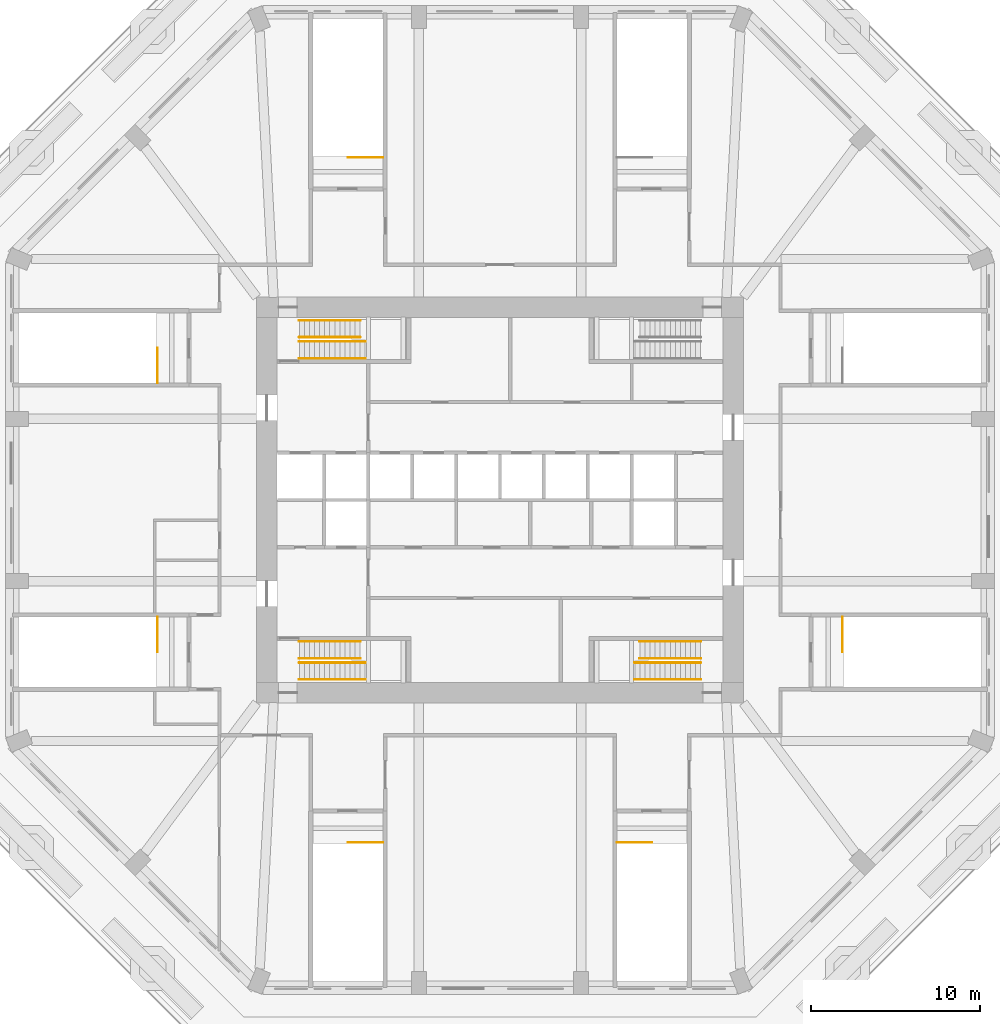
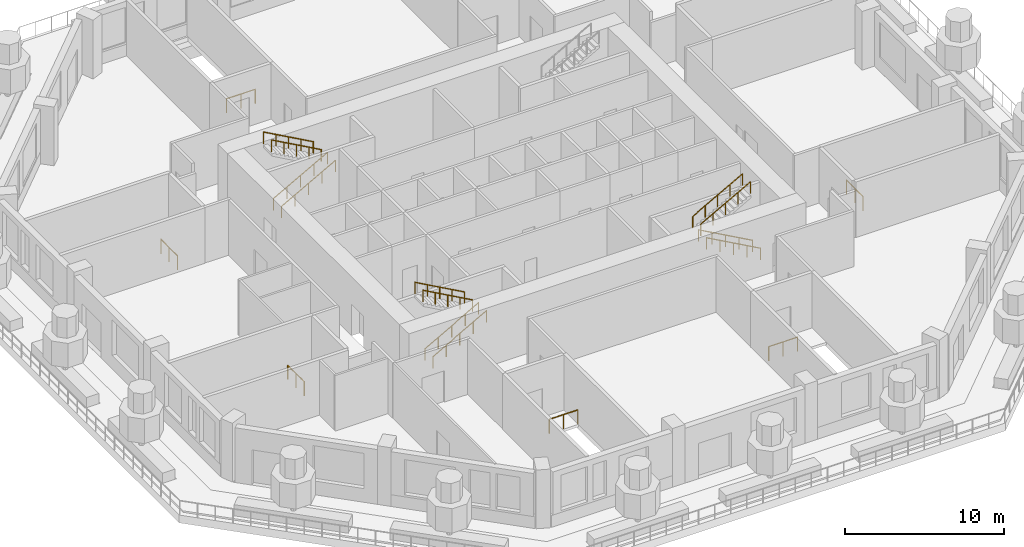
# One storey, part 10 of 13: 18 railings.
"""IFC4 building model written with IfcOpenShell, lengths in metres."""

from ifc_helpers import new_model, si_unit, direction, frame, origin, origin_2d, place, context, subcontext, project, spatial, circle, extrude, material, constituent, constituent_set, type_object, element, save


model = new_model("IFC4")

# Units and contexts
model_context = context("Model", 3, precision=1e-05, world=origin(), true_north=direction((0.0, 1.0)))
body_context = subcontext(model_context, "Body", "Model", "MODEL_VIEW")
ifc_project = project(units=[si_unit("LENGTHUNIT", "METRE"), si_unit("AREAUNIT", "SQUARE_METRE"), si_unit("VOLUMEUNIT", "CUBIC_METRE"), si_unit("PLANEANGLEUNIT", "RADIAN"), si_unit("MASSUNIT", "GRAM", prefix="KILO")], contexts=[model_context])

# Site, building, storey
site_placement = place(None, origin())
site = spatial("IfcSite", under=ifc_project, at=site_placement, CompositionType="ELEMENT")
building_placement = place(site_placement, origin())
building = spatial("IfcBuilding", under=site, at=building_placement, Name="Msitu Wima Residences", CompositionType="ELEMENT")
storey_placement = place(building_placement, frame((0.0, 0.0, 21.0)))
storey = spatial("IfcBuildingStorey", under=building, at=storey_placement, Name="L04", CompositionType="ELEMENT", Elevation=21.0)

# Railings
ifc_material_1 = material(Name="Steel S355", Category="steel")
ifc_constituent_1 = constituent(ifc_material_1, Name="Steel S355")
ifc_material_2 = material(Name="Black powder coating")
ifc_constituent_2 = constituent(ifc_material_2, Name="Black powder coating")
ifc_constituent_set_1 = constituent_set(constituents=[ifc_constituent_1, ifc_constituent_2], Name="Steel S355")
railing_type_1 = type_object("IfcRailingType", Name="Stair handrail HR1", PredefinedType="HANDRAIL", material=ifc_constituent_set_1)
for number, where, name in (
    (1, (-11.875, 8.375, 0.166748046875), "Stair 1 handrail"),
    (2, (-11.875, 9.375, 0.166748046875), "Stair 1 handrail"),
):
    element("IfcRailing", number, at=place(storey_placement, frame(where)), inside=storey, type_object=railing_type_1, Name=name, PredefinedType="HANDRAIL", context=body_context, shape_type="SweptSolid", body=[
        extrude(circle(Radius=0.02392578125, at=origin_2d()), frame((0.0, 0.0, 0.8759765625), z_axis=(0.874167601283, 0.0, 0.485624345423), x_axis=(0.0, 1.0, 0.0)), (0.0, 0.0, 1.0), 4.461181640625),
        extrude(circle(Radius=0.02099609375, at=origin_2d()), origin(), (0.0, 0.0, 1.0), 0.851806640625),
        extrude(circle(Radius=0.02099609375, at=origin_2d()), frame((0.97509765625, 0.0, 0.54150390625)), (0.0, 0.0, 1.0), 0.851806640625),
        extrude(circle(Radius=0.02099609375, at=origin_2d()), frame((1.949951171875, 0.0, 1.083251953125)), (0.0, 0.0, 1.0), 0.851806640625),
        extrude(circle(Radius=0.02099609375, at=origin_2d()), frame((2.9248046875, 0.0, 1.625)), (0.0, 0.0, 1.0), 0.851806640625),
        extrude(circle(Radius=0.02099609375, at=origin_2d()), frame((3.89990234375, 0.0, 2.16650390625)), (0.0, 0.0, 1.0), 0.851806640625),
    ])
for number, where, name in (
    (3, (-8.27490234375, 9.625, 2.5), "Stair 1 handrail"),
    (4, (-8.27490234375, 10.625, 2.5), "Stair 1 handrail"),
):
    element("IfcRailing", number, at=place(storey_placement, frame(where)), inside=storey, type_object=railing_type_1, Name=name, PredefinedType="HANDRAIL", context=body_context, shape_type="SweptSolid", body=[
        extrude(circle(Radius=0.02392578125, at=origin_2d()), frame((0.0, 0.0, 0.8759765625), z_axis=(-0.874162868644, 0.0, 0.485632864501), x_axis=(0.0, -1.0, 0.0)), (0.0, 0.0, 1.0), 4.118408203125),
        extrude(circle(Radius=0.02099609375, at=origin_2d()), origin(), (0.0, 0.0, 1.0), 0.851806640625),
        extrude(circle(Radius=0.02099609375, at=origin_2d()), frame((-0.89990234375, 0.0, 0.5)), (0.0, 0.0, 1.0), 0.851806640625),
        extrude(circle(Radius=0.02099609375, at=origin_2d()), frame((-1.800048828125, 0.0, 1.0)), (0.0, 0.0, 1.0), 0.851806640625),
        extrude(circle(Radius=0.02099609375, at=origin_2d()), frame((-2.7001953125, 0.0, 1.5)), (0.0, 0.0, 1.0), 0.851806640625),
        extrude(circle(Radius=0.02099609375, at=origin_2d()), frame((-3.60009765625, 0.0, 2.0)), (0.0, 0.0, 1.0), 0.851806640625),
    ])
for number, where, name in (
    (5, (-11.875, -10.625, 0.166748046875), "Stair 2 handrail"),
    (6, (-11.875, -9.625, 0.166748046875), "Stair 2 handrail"),
):
    element("IfcRailing", number, at=place(storey_placement, frame(where)), inside=storey, type_object=railing_type_1, Name=name, PredefinedType="HANDRAIL", context=body_context, shape_type="SweptSolid", body=[
        extrude(circle(Radius=0.02392578125, at=origin_2d()), frame((0.0, 0.0, 0.8759765625), z_axis=(0.874167601283, 0.0, 0.485624345423), x_axis=(0.0, 1.0, 0.0)), (0.0, 0.0, 1.0), 4.461181640625),
        extrude(circle(Radius=0.02099609375, at=origin_2d()), origin(), (0.0, 0.0, 1.0), 0.851806640625),
        extrude(circle(Radius=0.02099609375, at=origin_2d()), frame((0.97509765625, 0.0, 0.54150390625)), (0.0, 0.0, 1.0), 0.851806640625),
        extrude(circle(Radius=0.02099609375, at=origin_2d()), frame((1.949951171875, 0.0, 1.083251953125)), (0.0, 0.0, 1.0), 0.851806640625),
        extrude(circle(Radius=0.02099609375, at=origin_2d()), frame((2.9248046875, 0.0, 1.625)), (0.0, 0.0, 1.0), 0.851806640625),
        extrude(circle(Radius=0.02099609375, at=origin_2d()), frame((3.89990234375, 0.0, 2.16650390625)), (0.0, 0.0, 1.0), 0.851806640625),
    ])
for number, where, name in (
    (7, (-8.27490234375, -9.375, 2.5), "Stair 2 handrail"),
    (8, (-8.27490234375, -8.375, 2.5), "Stair 2 handrail"),
):
    element("IfcRailing", number, at=place(storey_placement, frame(where)), inside=storey, type_object=railing_type_1, Name=name, PredefinedType="HANDRAIL", context=body_context, shape_type="SweptSolid", body=[
        extrude(circle(Radius=0.02392578125, at=origin_2d()), frame((0.0, 0.0, 0.8759765625), z_axis=(-0.874162868644, 0.0, 0.485632864501), x_axis=(0.0, -1.0, 0.0)), (0.0, 0.0, 1.0), 4.118408203125),
        extrude(circle(Radius=0.02099609375, at=origin_2d()), origin(), (0.0, 0.0, 1.0), 0.851806640625),
        extrude(circle(Radius=0.02099609375, at=origin_2d()), frame((-0.89990234375, 0.0, 0.5)), (0.0, 0.0, 1.0), 0.851806640625),
        extrude(circle(Radius=0.02099609375, at=origin_2d()), frame((-1.800048828125, 0.0, 1.0)), (0.0, 0.0, 1.0), 0.851806640625),
        extrude(circle(Radius=0.02099609375, at=origin_2d()), frame((-2.7001953125, 0.0, 1.5)), (0.0, 0.0, 1.0), 0.851806640625),
        extrude(circle(Radius=0.02099609375, at=origin_2d()), frame((-3.60009765625, 0.0, 2.0)), (0.0, 0.0, 1.0), 0.851806640625),
    ])
for number, where, name in (
    (9, (11.875, -10.625, 0.166748046875), "Stair 4 handrail"),
    (10, (11.875, -9.625, 0.166748046875), "Stair 4 handrail"),
):
    element("IfcRailing", number, at=place(storey_placement, frame(where)), inside=storey, type_object=railing_type_1, Name=name, PredefinedType="HANDRAIL", context=body_context, shape_type="SweptSolid", body=[
        extrude(circle(Radius=0.02392578125, at=origin_2d()), frame((0.0, 0.0, 0.8759765625), z_axis=(-0.874167601283, 0.0, 0.485624345423), x_axis=(0.0, -1.0, 0.0)), (0.0, 0.0, 1.0), 4.461181640625),
        extrude(circle(Radius=0.02099609375, at=origin_2d()), origin(), (0.0, 0.0, 1.0), 0.851806640625),
        extrude(circle(Radius=0.02099609375, at=origin_2d()), frame((-0.97509765625, 0.0, 0.54150390625)), (0.0, 0.0, 1.0), 0.851806640625),
        extrude(circle(Radius=0.02099609375, at=origin_2d()), frame((-1.949951171875, 0.0, 1.083251953125)), (0.0, 0.0, 1.0), 0.851806640625),
        extrude(circle(Radius=0.02099609375, at=origin_2d()), frame((-2.9248046875, 0.0, 1.625)), (0.0, 0.0, 1.0), 0.851806640625),
        extrude(circle(Radius=0.02099609375, at=origin_2d()), frame((-3.89990234375, 0.0, 2.16650390625)), (0.0, 0.0, 1.0), 0.851806640625),
    ])
for number, where, name in (
    (11, (8.27490234375, -9.375, 2.5), "Stair 4 handrail"),
    (12, (8.27490234375, -8.375, 2.5), "Stair 4 handrail"),
):
    element("IfcRailing", number, at=place(storey_placement, frame(where)), inside=storey, type_object=railing_type_1, Name=name, PredefinedType="HANDRAIL", context=body_context, shape_type="SweptSolid", body=[
        extrude(circle(Radius=0.02392578125, at=origin_2d()), frame((0.0, 0.0, 0.8759765625), z_axis=(0.874162868644, 0.0, 0.485632864501), x_axis=(0.0, 1.0, 0.0)), (0.0, 0.0, 1.0), 4.118408203125),
        extrude(circle(Radius=0.02099609375, at=origin_2d()), origin(), (0.0, 0.0, 1.0), 0.851806640625),
        extrude(circle(Radius=0.02099609375, at=origin_2d()), frame((0.89990234375, 0.0, 0.5)), (0.0, 0.0, 1.0), 0.851806640625),
        extrude(circle(Radius=0.02099609375, at=origin_2d()), frame((1.800048828125, 0.0, 1.0)), (0.0, 0.0, 1.0), 0.851806640625),
        extrude(circle(Radius=0.02099609375, at=origin_2d()), frame((2.7001953125, 0.0, 1.5)), (0.0, 0.0, 1.0), 0.851806640625),
        extrude(circle(Radius=0.02099609375, at=origin_2d()), frame((3.60009765625, 0.0, 2.0)), (0.0, 0.0, 1.0), 0.851806640625),
    ])
ifc_constituent_3 = constituent(ifc_material_1, Name="Steel S355")
ifc_constituent_4 = constituent(ifc_material_2, Name="Black powder coating")
ifc_constituent_set_2 = constituent_set(constituents=[ifc_constituent_3, ifc_constituent_4], Name="Steel S355")
railing_type_2 = type_object("IfcRailingType", Name="Stair landing guard GR1100", PredefinedType="GUARDRAIL", material=ifc_constituent_set_2)
railing_1_placement = place(storey_placement, frame((20.264892578125, -6.925048828125, 0.0)))
element("IfcRailing", 13, at=railing_1_placement, inside=storey, type_object=railing_type_2, Name="Podium exit stair 2 landing guard", PredefinedType="GUARDRAIL", context=body_context, shape_type="SweptSolid", body=[
    extrude(circle(Radius=0.02392578125, at=origin_2d()), frame((0.0, 0.0, 1.076171875), z_axis=(0.0, -1.0, 0.0), x_axis=(1.0, 0.0, 0.0)), (0.0, 0.0, 1.0), 2.074951171875),
    extrude(circle(Radius=0.02099609375, at=origin_2d()), origin(), (0.0, 0.0, 1.0), 1.052001953125),
    extrude(circle(Radius=0.02099609375, at=origin_2d()), frame((0.0, -1.03759765625, 0.0)), (0.0, 0.0, 1.0), 1.052001953125),
    extrude(circle(Radius=0.02099609375, at=origin_2d()), frame((0.0, -2.074951171875, 0.0)), (0.0, 0.0, 1.0), 1.052001953125),
])
railing_2_placement = place(storey_placement, frame((-6.925048828125, 20.264892578125, 0.0)))
element("IfcRailing", 14, at=railing_2_placement, inside=storey, type_object=railing_type_2, Name="Podium exit stair 3 landing guard", PredefinedType="GUARDRAIL", context=body_context, shape_type="SweptSolid", body=[
    extrude(circle(Radius=0.02392578125, at=origin_2d()), frame((0.0, 0.0, 1.076171875), z_axis=(-1.0, 0.0, 0.0), x_axis=(0.0, -1.0, 0.0)), (0.0, 0.0, 1.0), 2.074951171875),
    extrude(circle(Radius=0.02099609375, at=origin_2d()), origin(), (0.0, 0.0, 1.0), 1.052001953125),
    extrude(circle(Radius=0.02099609375, at=origin_2d()), frame((-1.03759765625, 0.0, 0.0)), (0.0, 0.0, 1.0), 1.052001953125),
    extrude(circle(Radius=0.02099609375, at=origin_2d()), frame((-2.074951171875, 0.0, 0.0)), (0.0, 0.0, 1.0), 1.052001953125),
])
railing_3_placement = place(storey_placement, frame((-20.264892578125, -6.925048828125, 0.0)))
element("IfcRailing", 15, at=railing_3_placement, inside=storey, type_object=railing_type_2, Name="Podium exit stair 5 landing guard", PredefinedType="GUARDRAIL", context=body_context, shape_type="SweptSolid", body=[
    extrude(circle(Radius=0.02392578125, at=origin_2d()), frame((0.0, 0.0, 1.076171875), z_axis=(0.0, -1.0, 0.0), x_axis=(1.0, 0.0, 0.0)), (0.0, 0.0, 1.0), 2.074951171875),
    extrude(circle(Radius=0.02099609375, at=origin_2d()), origin(), (0.0, 0.0, 1.0), 1.052001953125),
    extrude(circle(Radius=0.02099609375, at=origin_2d()), frame((0.0, -1.03759765625, 0.0)), (0.0, 0.0, 1.0), 1.052001953125),
    extrude(circle(Radius=0.02099609375, at=origin_2d()), frame((0.0, -2.074951171875, 0.0)), (0.0, 0.0, 1.0), 1.052001953125),
])
railing_4_placement = place(storey_placement, frame((-20.264892578125, 6.925048828125, 0.0)))
element("IfcRailing", 16, at=railing_4_placement, inside=storey, type_object=railing_type_2, Name="Podium exit stair 6 landing guard", PredefinedType="GUARDRAIL", context=body_context, shape_type="SweptSolid", body=[
    extrude(circle(Radius=0.02392578125, at=origin_2d()), frame((0.0, 0.0, 1.076171875), z_axis=(0.0, 1.0, 0.0), x_axis=(-1.0, 0.0, 0.0)), (0.0, 0.0, 1.0), 2.074951171875),
    extrude(circle(Radius=0.02099609375, at=origin_2d()), origin(), (0.0, 0.0, 1.0), 1.052001953125),
    extrude(circle(Radius=0.02099609375, at=origin_2d()), frame((0.0, 1.03759765625, 0.0)), (0.0, 0.0, 1.0), 1.052001953125),
    extrude(circle(Radius=0.02099609375, at=origin_2d()), frame((0.0, 2.074951171875, 0.0)), (0.0, 0.0, 1.0), 1.052001953125),
])
railing_5_placement = place(storey_placement, frame((6.925048828125, -20.264892578125, 0.0)))
element("IfcRailing", 17, at=railing_5_placement, inside=storey, type_object=railing_type_2, Name="Podium exit stair 7 landing guard", PredefinedType="GUARDRAIL", context=body_context, shape_type="SweptSolid", body=[
    extrude(circle(Radius=0.02392578125, at=origin_2d()), frame((0.0, 0.0, 1.076171875), z_axis=(1.0, 0.0, 0.0), x_axis=(0.0, 1.0, 0.0)), (0.0, 0.0, 1.0), 2.074951171875),
    extrude(circle(Radius=0.02099609375, at=origin_2d()), origin(), (0.0, 0.0, 1.0), 1.052001953125),
    extrude(circle(Radius=0.02099609375, at=origin_2d()), frame((1.03759765625, 0.0, 0.0)), (0.0, 0.0, 1.0), 1.052001953125),
    extrude(circle(Radius=0.02099609375, at=origin_2d()), frame((2.074951171875, 0.0, 0.0)), (0.0, 0.0, 1.0), 1.052001953125),
])
railing_6_placement = place(storey_placement, frame((-6.925048828125, -20.264892578125, 0.0)))
element("IfcRailing", 18, at=railing_6_placement, inside=storey, type_object=railing_type_2, Name="Podium exit stair 8 landing guard", PredefinedType="GUARDRAIL", context=body_context, shape_type="SweptSolid", body=[
    extrude(circle(Radius=0.02392578125, at=origin_2d()), frame((0.0, 0.0, 1.076171875), z_axis=(-1.0, 0.0, 0.0), x_axis=(0.0, -1.0, 0.0)), (0.0, 0.0, 1.0), 2.074951171875),
    extrude(circle(Radius=0.02099609375, at=origin_2d()), origin(), (0.0, 0.0, 1.0), 1.052001953125),
    extrude(circle(Radius=0.02099609375, at=origin_2d()), frame((-1.03759765625, 0.0, 0.0)), (0.0, 0.0, 1.0), 1.052001953125),
    extrude(circle(Radius=0.02099609375, at=origin_2d()), frame((-2.074951171875, 0.0, 0.0)), (0.0, 0.0, 1.0), 1.052001953125),
])

save(model, "model.ifc")
